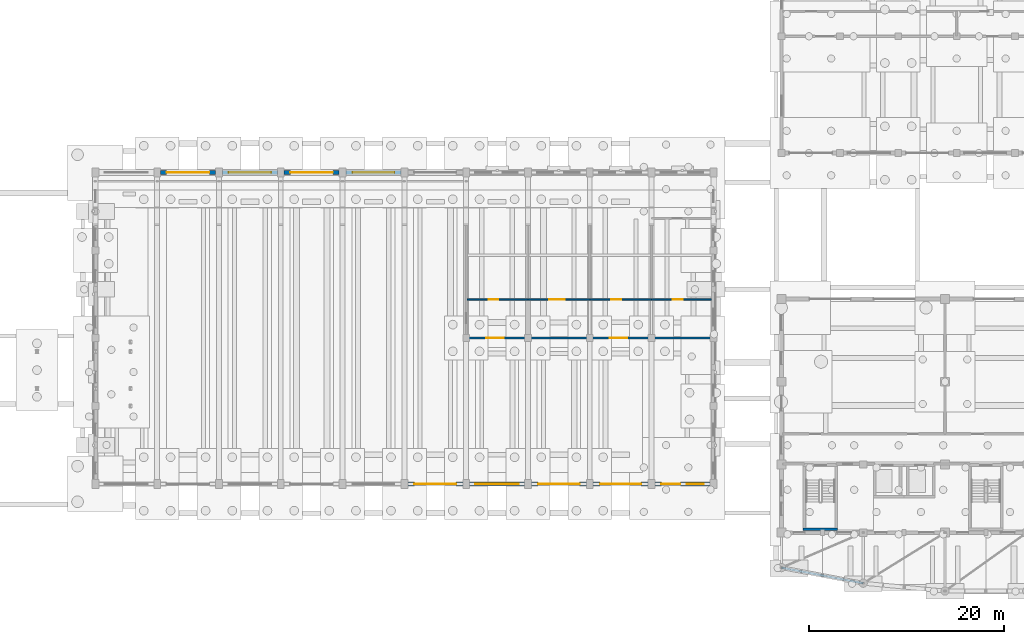
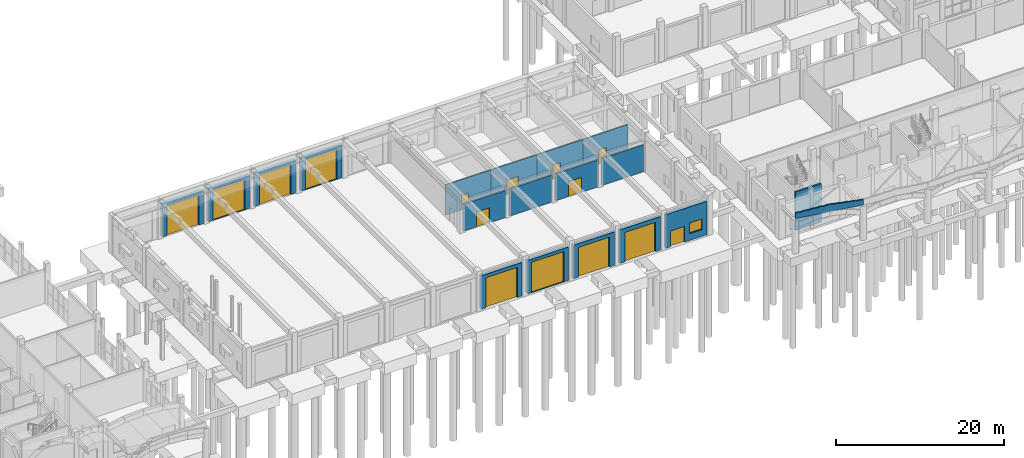
# One storey, part 37 of 60: 19 walls, 15 doors, 1 window, 16 openings.
"""IFC4 building model written with IfcOpenShell, lengths in metres."""

from ifc_helpers import new_model, si_unit, direction, frame, frame_2d, origin, place, context, subcontext, project, spatial, polyline, rectangle, outline, extrude, material, layer, layer_set, type_object, element, fill, save


model = new_model("IFC4")

# Units and contexts
model_context = context("Model", 3, precision=1e-05, world=origin(), true_north=direction((0.0, 1.0)))
body_context = subcontext(model_context, "Body", "Model", "MODEL_VIEW")
ifc_project = project(units=[si_unit("LENGTHUNIT", "METRE"), si_unit("AREAUNIT", "SQUARE_METRE"), si_unit("VOLUMEUNIT", "CUBIC_METRE"), si_unit("PLANEANGLEUNIT", "RADIAN"), si_unit("MASSUNIT", "GRAM", prefix="KILO")], contexts=[model_context])

# Site, building, storey
site_placement = place(None, origin())
site = spatial("IfcSite", under=ifc_project, at=site_placement, CompositionType="ELEMENT")
building_placement = place(site_placement, origin())
building = spatial("IfcBuilding", under=site, at=building_placement, Name="Trellovar Central Fire Station", CompositionType="ELEMENT")
storey_placement = place(building_placement, origin())
storey = spatial("IfcBuildingStorey", under=building, at=storey_placement, Name="L01", CompositionType="ELEMENT", Elevation=0.0)

# Wall, opening, door
ifc_material_1 = material(Name="Catalan polychrome brickwork with insulated cavity", Category="masonry")
ifc_layer_1 = layer(ifc_material_1, 0.419921875)
ifc_layer_set_1 = layer_set([ifc_layer_1], Name="Catalan polychrome brickwork with insulated cavity")
wall_type_1 = type_object("IfcWallType", Name="EW-1", PredefinedType="STANDARD", material=ifc_layer_set_1)
wall_1_placement = place(storey_placement, frame((47.35009765625, 46.0, 0.0), z_axis=(0.0, 0.0, 1.0), x_axis=(-1.0, 0.0, 0.0)))
wall_1 = element("IfcWall", 1, at=wall_1_placement, inside=storey, type_object=wall_type_1, Name="V1 north facade bay 2", PredefinedType="STANDARD", context=body_context, shape_type="SweptSolid", body=[
    extrude(rectangle(XDim=5.650146484375, YDim=0.419921875, at=frame_2d((2.8251953125, 0.0))), origin(), (0.0, 0.0, 1.0), 4.840087890625),
])
opening_1_placement = place(wall_1_placement, frame((0.625, 0.0, 0.0)))
opening_1 = element("IfcOpeningElement", 2, at=opening_1_placement, cuts=wall_1, Name="Opening BD-2", PredefinedType="OPENING", context=body_context, shape_type="SweptSolid", body=[
    extrude(rectangle(XDim=4.39990234375, YDim=4.39990234375, at=frame_2d((2.199951171875, 2.199951171875))), frame((0.0, 0.219970703125, 0.0), z_axis=(0.0, -1.0, 0.0), x_axis=(1.0, 0.0, 0.0)), (0.0, 0.0, 1.0), 0.43994140625),
])
ifc_material_2 = material(Name="Glazed terracotta-orange insulated steel roller shutter", Category="masonry")
door_type_1 = type_object("IfcDoorType", Name="DR-BAY2", OperationType="ROLLINGUP", PredefinedType="DOOR", material=ifc_material_2)
door_1_placement = place(opening_1_placement, origin())
door_1 = element("IfcDoor", 3, at=door_1_placement, inside=storey, type_object=door_type_1, Name="North yard drive-through bay 2 door", OperationType="ROLLINGUP", OverallHeight=4.39990234375, OverallWidth=4.39990234375, PredefinedType="DOOR", context=body_context, shape_type="SweptSolid", body=[
    extrude(rectangle(XDim=4.39990234375, YDim=4.39990234375, at=frame_2d((2.199951171875, 2.199951171875))), frame((0.0, 0.02490234375, 0.0), z_axis=(0.0, -1.0, 0.0), x_axis=(1.0, 0.0, 0.0)), (0.0, 0.0, 1.0), 0.050048828125),
])
fill(opening_1, door_1)

wall_2_placement = place(storey_placement, frame((53.699951171875, 46.0, 0.0), z_axis=(0.0, 0.0, 1.0), x_axis=(-1.0, 0.0, 0.0)))
wall_2 = element("IfcWall", 4, at=wall_2_placement, inside=storey, type_object=wall_type_1, Name="V1 north facade bay 3", PredefinedType="STANDARD", context=body_context, shape_type="SweptSolid", body=[
    extrude(rectangle(XDim=5.64990234375, YDim=0.419921875, at=frame_2d((2.824951171875, 0.0))), origin(), (0.0, 0.0, 1.0), 4.840087890625),
])
opening_2_placement = place(wall_2_placement, frame((0.64990234375, 0.0, 0.0)))
opening_2 = element("IfcOpeningElement", 5, at=opening_2_placement, cuts=wall_2, Name="Opening BD-3", PredefinedType="OPENING", context=body_context, shape_type="SweptSolid", body=[
    extrude(rectangle(XDim=4.35009765625, YDim=4.449951171875, at=frame_2d((2.175048828125, 2.22509765625))), frame((0.0, 0.219970703125, 0.0), z_axis=(0.0, -1.0, 0.0), x_axis=(1.0, 0.0, 0.0)), (0.0, 0.0, 1.0), 0.43994140625),
])
ifc_material_3 = material(Name="Glazed terracotta-orange insulated steel roller shutter", Category="masonry")
door_type_2 = type_object("IfcDoorType", Name="DR-BAY3", OperationType="ROLLINGUP", PredefinedType="DOOR", material=ifc_material_3)
door_2_placement = place(opening_2_placement, origin())
door_2 = element("IfcDoor", 6, at=door_2_placement, inside=storey, type_object=door_type_2, Name="North yard drive-through bay 3 door", OperationType="ROLLINGUP", OverallHeight=4.449951171875, OverallWidth=4.35009765625, PredefinedType="DOOR", context=body_context, shape_type="SweptSolid", body=[
    extrude(rectangle(XDim=4.35009765625, YDim=4.449951171875, at=frame_2d((2.175048828125, 2.22509765625))), frame((0.0, 0.02490234375, 0.0), z_axis=(0.0, -1.0, 0.0), x_axis=(1.0, 0.0, 0.0)), (0.0, 0.0, 1.0), 0.050048828125),
])
fill(opening_2, door_2)

wall_3_placement = place(storey_placement, frame((60.050048828125, 46.0, 0.0), z_axis=(0.0, 0.0, 1.0), x_axis=(-1.0, 0.0, 0.0)))
wall_3 = element("IfcWall", 7, at=wall_3_placement, inside=storey, type_object=wall_type_1, Name="V1 north facade bay 4", PredefinedType="STANDARD", context=body_context, shape_type="SweptSolid", body=[
    extrude(rectangle(XDim=5.650146484375, YDim=0.419921875, at=frame_2d((2.8251953125, 0.0))), origin(), (0.0, 0.0, 1.0), 4.840087890625),
])
opening_3_placement = place(wall_3_placement, frame((0.64990234375, 0.0, 0.0)))
opening_3 = element("IfcOpeningElement", 8, at=opening_3_placement, cuts=wall_3, Name="Opening BD-4", PredefinedType="OPENING", context=body_context, shape_type="SweptSolid", body=[
    extrude(rectangle(XDim=4.35009765625, YDim=4.39990234375, at=frame_2d((2.175048828125, 2.199951171875))), frame((0.0, 0.219970703125, 0.0), z_axis=(0.0, -1.0, 0.0), x_axis=(1.0, 0.0, 0.0)), (0.0, 0.0, 1.0), 0.43994140625),
])
ifc_material_4 = material(Name="Glazed terracotta-orange insulated steel roller shutter", Category="masonry")
door_type_3 = type_object("IfcDoorType", Name="DR-BAY4", OperationType="ROLLINGUP", PredefinedType="DOOR", material=ifc_material_4)
door_3_placement = place(opening_3_placement, origin())
door_3 = element("IfcDoor", 9, at=door_3_placement, inside=storey, type_object=door_type_3, Name="North yard drive-through bay 4 door", OperationType="ROLLINGUP", OverallHeight=4.39990234375, OverallWidth=4.35009765625, PredefinedType="DOOR", context=body_context, shape_type="SweptSolid", body=[
    extrude(rectangle(XDim=4.35009765625, YDim=4.39990234375, at=frame_2d((2.175048828125, 2.199951171875))), frame((0.0, 0.02490234375, 0.0), z_axis=(0.0, -1.0, 0.0), x_axis=(1.0, 0.0, 0.0)), (0.0, 0.0, 1.0), 0.050048828125),
])
fill(opening_3, door_3)

wall_4_placement = place(storey_placement, frame((66.39990234375, 46.0, 0.0), z_axis=(0.0, 0.0, 1.0), x_axis=(-1.0, 0.0, 0.0)))
wall_4 = element("IfcWall", 10, at=wall_4_placement, inside=storey, type_object=wall_type_1, Name="V1 north facade bay 5", PredefinedType="STANDARD", context=body_context, shape_type="SweptSolid", body=[
    extrude(rectangle(XDim=5.64990234375, YDim=0.419921875, at=frame_2d((2.824951171875, 0.0))), origin(), (0.0, 0.0, 1.0), 4.840087890625),
])
opening_4_placement = place(wall_4_placement, frame((0.675048828125, 0.0, 0.0)))
opening_4 = element("IfcOpeningElement", 11, at=opening_4_placement, cuts=wall_4, Name="Opening BD-5", PredefinedType="OPENING", context=body_context, shape_type="SweptSolid", body=[
    extrude(rectangle(XDim=4.300048828125, YDim=4.449951171875, at=frame_2d((2.14990234375, 2.22509765625))), frame((0.0, 0.219970703125, 0.0), z_axis=(0.0, -1.0, 0.0), x_axis=(1.0, 0.0, 0.0)), (0.0, 0.0, 1.0), 0.43994140625),
])
ifc_material_5 = material(Name="Glazed terracotta-orange insulated steel roller shutter", Category="masonry")
door_type_4 = type_object("IfcDoorType", Name="DR-BAY5", OperationType="ROLLINGUP", PredefinedType="DOOR", material=ifc_material_5)
door_4_placement = place(opening_4_placement, origin())
door_4 = element("IfcDoor", 12, at=door_4_placement, inside=storey, type_object=door_type_4, Name="North yard drive-through bay 5 door", OperationType="ROLLINGUP", OverallHeight=4.449951171875, OverallWidth=4.300048828125, PredefinedType="DOOR", context=body_context, shape_type="SweptSolid", body=[
    extrude(rectangle(XDim=4.300048828125, YDim=4.449951171875, at=frame_2d((2.14990234375, 2.22509765625))), frame((0.0, 0.02490234375, 0.0), z_axis=(0.0, -1.0, 0.0), x_axis=(1.0, 0.0, 0.0)), (0.0, 0.0, 1.0), 0.050048828125),
])
fill(opening_4, door_4)

wall_5_placement = place(storey_placement, frame((67.10009765625, 14.0, 0.0), z_axis=(0.0, 0.0, 1.0), x_axis=(1.0, 0.0, 0.0)))
wall_5 = element("IfcWall", 13, at=wall_5_placement, inside=storey, type_object=wall_type_1, Name="V1 south engine portal masonry bay 6", PredefinedType="STANDARD", context=body_context, shape_type="SweptSolid", body=[
    extrude(rectangle(XDim=5.64990234375, YDim=0.419921875, at=frame_2d((2.824951171875, 0.0))), origin(), (0.0, 0.0, 1.0), 4.8798828125),
])
opening_5_placement = place(wall_5_placement, frame((0.675048828125, 0.0, 0.0)))
opening_5 = element("IfcOpeningElement", 14, at=opening_5_placement, cuts=wall_5, Name="Opening BD-6", PredefinedType="OPENING", context=body_context, shape_type="SweptSolid", body=[
    extrude(rectangle(XDim=4.300048828125, YDim=4.39990234375, at=frame_2d((2.14990234375, 2.199951171875))), frame((0.0, 0.219970703125, 0.0), z_axis=(0.0, -1.0, 0.0), x_axis=(1.0, 0.0, 0.0)), (0.0, 0.0, 1.0), 0.43994140625),
])
ifc_material_6 = material(Name="Glazed terracotta-orange insulated steel roller shutter", Category="masonry")
door_type_5 = type_object("IfcDoorType", Name="DR-BAY6", OperationType="ROLLINGUP", PredefinedType="DOOR", material=ifc_material_6)
door_5_placement = place(opening_5_placement, origin())
door_5 = element("IfcDoor", 15, at=door_5_placement, inside=storey, type_object=door_type_5, Name="South boulevard apparatus bay 6 door", OperationType="ROLLINGUP", OverallHeight=4.39990234375, OverallWidth=4.300048828125, PredefinedType="DOOR", context=body_context, shape_type="SweptSolid", body=[
    extrude(rectangle(XDim=4.300048828125, YDim=4.39990234375, at=frame_2d((2.14990234375, 2.199951171875))), frame((0.0, 0.02490234375, 0.0), z_axis=(0.0, -1.0, 0.0), x_axis=(1.0, 0.0, 0.0)), (0.0, 0.0, 1.0), 0.050048828125),
])
fill(opening_5, door_5)

wall_6_placement = place(storey_placement, frame((73.449951171875, 14.0, 0.0), z_axis=(0.0, 0.0, 1.0), x_axis=(1.0, 0.0, 0.0)))
wall_6 = element("IfcWall", 16, at=wall_6_placement, inside=storey, type_object=wall_type_1, Name="V1 south engine portal masonry bay 7", PredefinedType="STANDARD", context=body_context, shape_type="SweptSolid", body=[
    extrude(rectangle(XDim=5.650146484375, YDim=0.419921875, at=frame_2d((2.8251953125, 0.0))), origin(), (0.0, 0.0, 1.0), 4.8798828125),
])
opening_6_placement = place(wall_6_placement, frame((0.60009765625, 0.0, 0.0)))
opening_6 = element("IfcOpeningElement", 17, at=opening_6_placement, cuts=wall_6, Name="Opening BD-7", PredefinedType="OPENING", context=body_context, shape_type="SweptSolid", body=[
    extrude(rectangle(XDim=4.449951171875, YDim=4.449951171875, at=frame_2d((2.22509765625, 2.22509765625))), frame((0.0, 0.219970703125, 0.0), z_axis=(0.0, -1.0, 0.0), x_axis=(1.0, 0.0, 0.0)), (0.0, 0.0, 1.0), 0.43994140625),
])
ifc_material_7 = material(Name="Glazed terracotta-orange insulated steel roller shutter", Category="masonry")
door_type_6 = type_object("IfcDoorType", Name="DR-BAY7", OperationType="ROLLINGUP", PredefinedType="DOOR", material=ifc_material_7)
door_6_placement = place(opening_6_placement, origin())
door_6 = element("IfcDoor", 18, at=door_6_placement, inside=storey, type_object=door_type_6, Name="South boulevard apparatus bay 7 door", OperationType="ROLLINGUP", OverallHeight=4.449951171875, OverallWidth=4.449951171875, PredefinedType="DOOR", context=body_context, shape_type="SweptSolid", body=[
    extrude(rectangle(XDim=4.449951171875, YDim=4.449951171875, at=frame_2d((2.22509765625, 2.22509765625))), frame((0.0, 0.02490234375, 0.0), z_axis=(0.0, -1.0, 0.0), x_axis=(1.0, 0.0, 0.0)), (0.0, 0.0, 1.0), 0.050048828125),
])
fill(opening_6, door_6)

wall_7_placement = place(storey_placement, frame((79.800048828125, 14.0, 0.0), z_axis=(0.0, 0.0, 1.0), x_axis=(1.0, 0.0, 0.0)))
wall_7 = element("IfcWall", 19, at=wall_7_placement, inside=storey, type_object=wall_type_1, Name="V1 south engine portal masonry bay 8", PredefinedType="STANDARD", context=body_context, shape_type="SweptSolid", body=[
    extrude(rectangle(XDim=5.64990234375, YDim=0.419921875, at=frame_2d((2.824951171875, 0.0))), origin(), (0.0, 0.0, 1.0), 4.8798828125),
])
opening_7_placement = place(wall_7_placement, frame((0.699951171875, 0.0, 0.0)))
opening_7 = element("IfcOpeningElement", 20, at=opening_7_placement, cuts=wall_7, Name="Opening BD-8", PredefinedType="OPENING", context=body_context, shape_type="SweptSolid", body=[
    extrude(rectangle(XDim=4.25, YDim=4.35009765625, at=frame_2d((2.125, 2.175048828125))), frame((0.0, 0.219970703125, 0.0), z_axis=(0.0, -1.0, 0.0), x_axis=(1.0, 0.0, 0.0)), (0.0, 0.0, 1.0), 0.43994140625),
])
ifc_material_8 = material(Name="Glazed terracotta-orange insulated steel roller shutter", Category="masonry")
door_type_7 = type_object("IfcDoorType", Name="DR-BAY8", OperationType="ROLLINGUP", PredefinedType="DOOR", material=ifc_material_8)
door_7_placement = place(opening_7_placement, origin())
door_7 = element("IfcDoor", 21, at=door_7_placement, inside=storey, type_object=door_type_7, Name="South boulevard apparatus bay 8 door", OperationType="ROLLINGUP", OverallHeight=4.35009765625, OverallWidth=4.25, PredefinedType="DOOR", context=body_context, shape_type="SweptSolid", body=[
    extrude(rectangle(XDim=4.25, YDim=4.35009765625, at=frame_2d((2.125, 2.175048828125))), frame((0.0, 0.02490234375, 0.0), z_axis=(0.0, -1.0, 0.0), x_axis=(1.0, 0.0, 0.0)), (0.0, 0.0, 1.0), 0.050048828125),
])
fill(opening_7, door_7)

wall_8_placement = place(storey_placement, frame((86.14990234375, 14.0, 0.0), z_axis=(0.0, 0.0, 1.0), x_axis=(1.0, 0.0, 0.0)))
wall_8 = element("IfcWall", 22, at=wall_8_placement, inside=storey, type_object=wall_type_1, Name="V1 south engine portal masonry bay 9", PredefinedType="STANDARD", context=body_context, shape_type="SweptSolid", body=[
    extrude(rectangle(XDim=5.650146484375, YDim=0.419921875, at=frame_2d((2.8251953125, 0.0))), origin(), (0.0, 0.0, 1.0), 4.8798828125),
])
opening_8_placement = place(wall_8_placement, frame((0.72509765625, 0.0, 0.0)))
opening_8 = element("IfcOpeningElement", 23, at=opening_8_placement, cuts=wall_8, Name="Opening BD-9", PredefinedType="OPENING", context=body_context, shape_type="SweptSolid", body=[
    extrude(rectangle(XDim=4.199951171875, YDim=4.300048828125, at=frame_2d((2.10009765625, 2.14990234375))), frame((0.0, 0.219970703125, 0.0), z_axis=(0.0, -1.0, 0.0), x_axis=(1.0, 0.0, 0.0)), (0.0, 0.0, 1.0), 0.43994140625),
])
ifc_material_9 = material(Name="Glazed terracotta-orange insulated steel roller shutter", Category="masonry")
door_type_8 = type_object("IfcDoorType", Name="DR-BAY9", OperationType="ROLLINGUP", PredefinedType="DOOR", material=ifc_material_9)
door_8_placement = place(opening_8_placement, origin())
door_8 = element("IfcDoor", 24, at=door_8_placement, inside=storey, type_object=door_type_8, Name="South boulevard apparatus bay 9 door", OperationType="ROLLINGUP", OverallHeight=4.300048828125, OverallWidth=4.199951171875, PredefinedType="DOOR", context=body_context, shape_type="SweptSolid", body=[
    extrude(rectangle(XDim=4.199951171875, YDim=4.300048828125, at=frame_2d((2.10009765625, 2.14990234375))), frame((0.0, 0.02490234375, 0.0), z_axis=(0.0, -1.0, 0.0), x_axis=(1.0, 0.0, 0.0)), (0.0, 0.0, 1.0), 0.050048828125),
])
fill(opening_8, door_8)

# Wall, openings, door, window
wall_9_placement = place(storey_placement, frame((92.5, 14.0, 0.0), z_axis=(0.0, 0.0, 1.0), x_axis=(1.0, 0.0, 0.0)))
wall_9 = element("IfcWall", 25, at=wall_9_placement, inside=storey, type_object=wall_type_1, Name="V1 south engine portal masonry bay 10", PredefinedType="STANDARD", context=body_context, shape_type="SweptSolid", body=[
    extrude(rectangle(XDim=5.64990234375, YDim=0.419921875, at=frame_2d((2.824951171875, 0.0))), origin(), (0.0, 0.0, 1.0), 4.8798828125),
])
opening_9_placement = place(wall_9_placement, frame((0.64990234375, 0.0, 0.0)))
opening_9 = element("IfcOpeningElement", 26, at=opening_9_placement, cuts=wall_9, Name="Opening EX-1", PredefinedType="OPENING", context=body_context, shape_type="SweptSolid", body=[
    extrude(rectangle(XDim=1.949951171875, YDim=2.300048828125, at=frame_2d((0.97509765625, 1.14990234375))), frame((0.0, 0.219970703125, 0.0), z_axis=(0.0, -1.0, 0.0), x_axis=(1.0, 0.0, 0.0)), (0.0, 0.0, 1.0), 0.43994140625),
])
opening_10_placement = place(wall_9_placement, frame((3.25, 0.0, 1.0)))
opening_10 = element("IfcOpeningElement", 27, at=opening_10_placement, cuts=wall_9, Name="Opening W-03", PredefinedType="OPENING", context=body_context, shape_type="SweptSolid", body=[
    extrude(rectangle(XDim=1.75, YDim=1.550048828125, at=frame_2d((0.875, 0.77490234375))), frame((0.0, 0.219970703125, 0.0), z_axis=(0.0, -1.0, 0.0), x_axis=(1.0, 0.0, 0.0)), (0.0, 0.0, 1.0), 0.43994140625),
])
ifc_material_10 = material(Name="Thermally broken bronze anodized aluminum", Category="aluminium")
door_type_9 = type_object("IfcDoorType", Name="DR-EXT1", OperationType="DOUBLE_DOOR_SINGLE_SWING", PredefinedType="DOOR", material=ifc_material_10)
door_9_placement = place(opening_9_placement, frame((1.949951171875, 0.0, 0.0), z_axis=(0.0, 0.0, 1.0), x_axis=(-1.0, 0.0, 0.0)))
door_9 = element("IfcDoor", 28, at=door_9_placement, inside=storey, type_object=door_type_9, Name="Appliance hall south boulevard entrance", OperationType="DOUBLE_DOOR_SINGLE_SWING", OverallHeight=2.300048828125, OverallWidth=1.949951171875, PredefinedType="DOOR", context=body_context, shape_type="SweptSolid", body=[
    extrude(rectangle(XDim=1.949951171875, YDim=2.300048828125, at=frame_2d((0.97509765625, 1.14990234375))), frame((0.0, 0.02490234375, 0.0), z_axis=(0.0, -1.0, 0.0), x_axis=(1.0, 0.0, 0.0)), (0.0, 0.0, 1.0), 0.050048828125),
])
fill(opening_9, door_9)
ifc_material_11 = material(Name="Thermally broken bronze anodized aluminum", Category="aluminium")
window_type = type_object("IfcWindowType", Name="WIN-03", PartitioningType="DOUBLE_PANEL_VERTICAL", PredefinedType="WINDOW", material=ifc_material_11)
window_placement = place(opening_10_placement, origin())
window = element("IfcWindow", 29, at=window_placement, inside=storey, type_object=window_type, Name="Appliance hall south watch window", OverallHeight=1.550048828125, OverallWidth=1.75, PartitioningType="DOUBLE_PANEL_VERTICAL", PredefinedType="WINDOW", context=body_context, shape_type="SweptSolid", body=[
    extrude(rectangle(XDim=1.75, YDim=1.550048828125, at=frame_2d((0.875, 0.77490234375))), frame((0.0, 0.030029296875, 0.0), z_axis=(0.0, -1.0, 0.0), x_axis=(1.0, 0.0, 0.0)), (0.0, 0.0, 1.0), 0.06005859375),
])
fill(opening_10, window)

# Wall
ifc_material_12 = material(Name="Textured desert sandstone masonry", Category="masonry")
ifc_layer_2 = layer(ifc_material_12, 0.2099609375)
ifc_layer_set_2 = layer_set([ifc_layer_2], Name="Textured desert sandstone masonry")
wall_type_2 = type_object("IfcWallType", Name="PAR-3", PredefinedType="PARAPET", material=ifc_layer_set_2)
wall_10_placement = place(storey_placement, frame((105.5, 5.39990234375, 4.949951171875), z_axis=(0.0, 0.0, 1.0), x_axis=(0.982341315253, -0.187097675953, 0.0)))
element("IfcWall", 30, at=wall_10_placement, inside=storey, type_object=wall_type_2, Name="L01 Catalan stepped parapet", PredefinedType="PARAPET", context=body_context, shape_type="SweptSolid", body=[
    extrude(outline(polyline([(0.0, 0.0), (8.55078125, 0.0), (8.551025390625, 0.800048828125), (7.601806640625, 0.800048828125), (7.600830078125, 0.862548828125), (6.65185546875, 0.862548828125), (6.65087890625, 0.925048828125), (5.70166015625, 0.925048828125), (5.70068359375, 0.987548828125), (4.751708984375, 0.987548828125), (4.75048828125, 1.050048828125), (3.801513671875, 1.050048828125), (3.800537109375, 0.987548828125), (2.851318359375, 0.987548828125), (2.850341796875, 0.925048828125), (1.901123046875, 0.925048828125), (1.900146484375, 0.862548828125), (0.951171875, 0.862548828125), (0.9501953125, 0.800048828125), (0.0, 0.800048828125), (0.0, 0.0)])), frame((0.0, 0.10498046875, 0.0), z_axis=(0.0, -1.0, 0.0), x_axis=(1.0, 0.0, 0.0)), (0.0, 0.0, 1.0), 0.2099609375),
])

# Wall, opening, door
ifc_material_13 = material(Name="Acoustic concrete masonry unit", Category="masonry")
ifc_layer_3 = layer(ifc_material_13, 0.199951171875)
ifc_layer_set_3 = layer_set([ifc_layer_3], Name="Acoustic concrete masonry unit")
wall_type_3 = type_object("IfcWallType", Name="PT-1", PredefinedType="PARTITIONING", material=ifc_layer_set_3)
wall_11_placement = place(storey_placement, frame((73.35009765625, 29.0, 0.0), z_axis=(0.0, 0.0, 1.0), x_axis=(1.0, 0.0, 0.0)))
wall_11 = element("IfcWall", 31, at=wall_11_placement, inside=storey, type_object=wall_type_3, Name="V1 north tail spine wall 1", PredefinedType="PARTITIONING", context=body_context, shape_type="SweptSolid", body=[
    extrude(rectangle(XDim=5.849853515625, YDim=0.199951171875, at=frame_2d((2.9248046875, 0.0))), origin(), (0.0, 0.0, 1.0), 3.927978515625),
])
opening_11_placement = place(wall_11_placement, frame((1.800048828125, 0.0, 0.0)))
opening_11 = element("IfcOpeningElement", 32, at=opening_11_placement, cuts=wall_11, Name="Opening ID-3", PredefinedType="OPENING", context=body_context, shape_type="SweptSolid", body=[
    extrude(rectangle(XDim=1.800048828125, YDim=2.179931640625, at=frame_2d((0.89990234375, 1.08984375))), frame((0.0, 0.10986328125, 0.0), z_axis=(0.0, -1.0, 0.0), x_axis=(1.0, 0.0, 0.0)), (0.0, 0.0, 1.0), 0.219970703125),
])
ifc_material_14 = material(Name="Hollow galvanized steel with acoustic core", Category="steel")
door_type_10 = type_object("IfcDoorType", Name="DR-INT3", OperationType="DOUBLE_DOOR_SINGLE_SWING", PredefinedType="DOOR", material=ifc_material_14)
door_10_placement = place(opening_11_placement, origin())
door_10 = element("IfcDoor", 33, at=door_10_placement, inside=storey, type_object=door_type_10, Name="Appliance hall to north tail corridor double door 1", OperationType="DOUBLE_DOOR_SINGLE_SWING", OverallHeight=2.179931640625, OverallWidth=1.800048828125, PredefinedType="DOOR", context=body_context, shape_type="SweptSolid", body=[
    extrude(rectangle(XDim=1.800048828125, YDim=2.179931640625, at=frame_2d((0.89990234375, 1.08984375))), frame((0.0, 0.02490234375, 0.0), z_axis=(0.0, -1.0, 0.0), x_axis=(1.0, 0.0, 0.0)), (0.0, 0.0, 1.0), 0.050048828125),
])
fill(opening_11, door_10)

# Wall
wall_12_placement = place(storey_placement, frame((79.699951171875, 29.0, 0.0), z_axis=(0.0, 0.0, 1.0), x_axis=(1.0, 0.0, 0.0)))
element("IfcWall", 34, at=wall_12_placement, inside=storey, type_object=wall_type_3, Name="V1 north tail spine wall 2", PredefinedType="PARTITIONING", context=body_context, shape_type="SweptSolid", body=[
    extrude(rectangle(XDim=5.85009765625, YDim=0.199951171875, at=frame_2d((2.925048828125, 0.0))), origin(), (0.0, 0.0, 1.0), 3.927978515625),
])

# Wall, opening, door
wall_13_placement = place(storey_placement, frame((86.050048828125, 29.0, 0.0), z_axis=(0.0, 0.0, 1.0), x_axis=(1.0, 0.0, 0.0)))
wall_13 = element("IfcWall", 35, at=wall_13_placement, inside=storey, type_object=wall_type_3, Name="V1 north tail spine wall 3", PredefinedType="PARTITIONING", context=body_context, shape_type="SweptSolid", body=[
    extrude(rectangle(XDim=5.849853515625, YDim=0.199951171875, at=frame_2d((2.9248046875, 0.0))), origin(), (0.0, 0.0, 1.0), 3.927978515625),
])
opening_12_placement = place(wall_13_placement, frame((1.800048828125, 0.0, 0.0)))
opening_12 = element("IfcOpeningElement", 36, at=opening_12_placement, cuts=wall_13, Name="Opening ID-3", PredefinedType="OPENING", context=body_context, shape_type="SweptSolid", body=[
    extrude(rectangle(XDim=1.800048828125, YDim=2.179931640625, at=frame_2d((0.89990234375, 1.08984375))), frame((0.0, 0.10986328125, 0.0), z_axis=(0.0, -1.0, 0.0), x_axis=(1.0, 0.0, 0.0)), (0.0, 0.0, 1.0), 0.219970703125),
])
door_11_placement = place(opening_12_placement, origin())
door_11 = element("IfcDoor", 37, at=door_11_placement, inside=storey, type_object=door_type_10, Name="Appliance hall to north tail corridor double door 3", OperationType="DOUBLE_DOOR_SINGLE_SWING", OverallHeight=2.179931640625, OverallWidth=1.800048828125, PredefinedType="DOOR", context=body_context, shape_type="SweptSolid", body=[
    extrude(rectangle(XDim=1.800048828125, YDim=2.179931640625, at=frame_2d((0.89990234375, 1.08984375))), frame((0.0, 0.02490234375, 0.0), z_axis=(0.0, -1.0, 0.0), x_axis=(1.0, 0.0, 0.0)), (0.0, 0.0, 1.0), 0.050048828125),
])
fill(opening_12, door_11)

# Wall
wall_14_placement = place(storey_placement, frame((92.39990234375, 29.0, 0.0), z_axis=(0.0, 0.0, 1.0), x_axis=(1.0, 0.0, 0.0)))
element("IfcWall", 38, at=wall_14_placement, inside=storey, type_object=wall_type_3, Name="V1 north tail spine wall 4", PredefinedType="PARTITIONING", context=body_context, shape_type="SweptSolid", body=[
    extrude(rectangle(XDim=5.85009765625, YDim=0.199951171875, at=frame_2d((2.925048828125, 0.0))), origin(), (0.0, 0.0, 1.0), 3.927978515625),
])

# Wall, opening, door
ifc_material_15 = material(Name="Acoustic concrete masonry unit", Category="masonry")
ifc_layer_4 = layer(ifc_material_15, 0.159912109375)
ifc_layer_set_4 = layer_set([ifc_layer_4], Name="Acoustic concrete masonry unit")
wall_type_4 = type_object("IfcWallType", Name="PT-2", PredefinedType="PARTITIONING", material=ifc_layer_set_4)
wall_15_placement = place(storey_placement, frame((73.199951171875, 32.949951171875, 0.0), z_axis=(0.0, 0.0, 1.0), x_axis=(1.0, 0.0, 0.0)))
wall_15 = element("IfcWall", 39, at=wall_15_placement, inside=storey, type_object=wall_type_4, Name="V1 north tail corridor wall 1", PredefinedType="PARTITIONING", context=body_context, shape_type="SweptSolid", body=[
    extrude(rectangle(XDim=6.25, YDim=0.159912109375, at=frame_2d((3.125, 0.0))), origin(), (0.0, 0.0, 1.0), 4.39990234375),
])
opening_13_placement = place(wall_15_placement, frame((2.199951171875, 0.0, 0.0)))
opening_13 = element("IfcOpeningElement", 40, at=opening_13_placement, cuts=wall_15, Name="Opening ID-7", PredefinedType="OPENING", context=body_context, shape_type="SweptSolid", body=[
    extrude(rectangle(XDim=0.97998046875, YDim=2.1201171875, at=frame_2d((0.489990234375, 1.06005859375))), frame((0.0, 0.08984375, 0.0), z_axis=(0.0, -1.0, 0.0), x_axis=(1.0, 0.0, 0.0)), (0.0, 0.0, 1.0), 0.179931640625),
])
ifc_material_16 = material(Name="Solid core acoustic white oak veneer", Category="wood")
door_type_11 = type_object("IfcDoorType", Name="DR-INT7", OperationType="SINGLE_SWING_LEFT", PredefinedType="DOOR", material=ifc_material_16)
door_12_placement = place(opening_13_placement, origin())
door_12 = element("IfcDoor", 41, at=door_12_placement, inside=storey, type_object=door_type_11, Name="Station watch room door", OperationType="SINGLE_SWING_RIGHT", OverallHeight=2.1201171875, OverallWidth=0.97998046875, PredefinedType="DOOR", context=body_context, shape_type="SweptSolid", body=[
    extrude(rectangle(XDim=0.97998046875, YDim=2.1201171875, at=frame_2d((0.489990234375, 1.06005859375))), frame((0.0, 0.02490234375, 0.0), z_axis=(0.0, -1.0, 0.0), x_axis=(1.0, 0.0, 0.0)), (0.0, 0.0, 1.0), 0.050048828125),
])
fill(opening_13, door_12)

wall_16_placement = place(storey_placement, frame((79.449951171875, 32.949951171875, 0.0), z_axis=(0.0, 0.0, 1.0), x_axis=(1.0, 0.0, 0.0)))
wall_16 = element("IfcWall", 42, at=wall_16_placement, inside=storey, type_object=wall_type_4, Name="V1 north tail corridor wall 2", PredefinedType="PARTITIONING", context=body_context, shape_type="SweptSolid", body=[
    extrude(rectangle(XDim=6.35009765625, YDim=0.159912109375, at=frame_2d((3.175048828125, 0.0))), origin(), (0.0, 0.0, 1.0), 4.39990234375),
])
opening_14_placement = place(wall_16_placement, frame((2.199951171875, 0.0, 0.0)))
opening_14 = element("IfcOpeningElement", 43, at=opening_14_placement, cuts=wall_16, Name="Opening ID-4", PredefinedType="OPENING", context=body_context, shape_type="SweptSolid", body=[
    extrude(rectangle(XDim=1.60009765625, YDim=2.139892578125, at=frame_2d((0.800048828125, 1.06982421875))), frame((0.0, 0.08984375, 0.0), z_axis=(0.0, -1.0, 0.0), x_axis=(1.0, 0.0, 0.0)), (0.0, 0.0, 1.0), 0.179931640625),
])
ifc_material_17 = material(Name="Solid core acoustic white oak veneer", Category="wood")
door_type_12 = type_object("IfcDoorType", Name="DR-INT4", OperationType="DOUBLE_DOOR_SINGLE_SWING", PredefinedType="DOOR", material=ifc_material_17)
door_13_placement = place(opening_14_placement, origin())
door_13 = element("IfcDoor", 44, at=door_13_placement, inside=storey, type_object=door_type_12, Name="Ready kitchen mess door", OperationType="DOUBLE_DOOR_SINGLE_SWING", OverallHeight=2.139892578125, OverallWidth=1.60009765625, PredefinedType="DOOR", context=body_context, shape_type="SweptSolid", body=[
    extrude(rectangle(XDim=1.60009765625, YDim=2.139892578125, at=frame_2d((0.800048828125, 1.06982421875))), frame((0.0, 0.02490234375, 0.0), z_axis=(0.0, -1.0, 0.0), x_axis=(1.0, 0.0, 0.0)), (0.0, 0.0, 1.0), 0.050048828125),
])
fill(opening_14, door_13)

wall_17_placement = place(storey_placement, frame((85.800048828125, 32.949951171875, 0.0), z_axis=(0.0, 0.0, 1.0), x_axis=(1.0, 0.0, 0.0)))
wall_17 = element("IfcWall", 45, at=wall_17_placement, inside=storey, type_object=wall_type_4, Name="V1 north tail corridor wall 3", PredefinedType="PARTITIONING", context=body_context, shape_type="SweptSolid", body=[
    extrude(rectangle(XDim=6.349853515625, YDim=0.159912109375, at=frame_2d((3.1748046875, 0.0))), origin(), (0.0, 0.0, 1.0), 4.39990234375),
])
opening_15_placement = place(wall_17_placement, frame((2.199951171875, 0.0, 0.0)))
opening_15 = element("IfcOpeningElement", 46, at=opening_15_placement, cuts=wall_17, Name="Opening ID-8", PredefinedType="OPENING", context=body_context, shape_type="SweptSolid", body=[
    extrude(rectangle(XDim=1.02001953125, YDim=2.139892578125, at=frame_2d((0.510009765625, 1.06982421875))), frame((0.0, 0.08984375, 0.0), z_axis=(0.0, -1.0, 0.0), x_axis=(1.0, 0.0, 0.0)), (0.0, 0.0, 1.0), 0.179931640625),
])
ifc_material_18 = material(Name="Solid core acoustic white oak veneer", Category="wood")
door_type_13 = type_object("IfcDoorType", Name="DR-INT8", OperationType="SINGLE_SWING_LEFT", PredefinedType="DOOR", material=ifc_material_18)
door_14_placement = place(opening_15_placement, origin())
door_14 = element("IfcDoor", 47, at=door_14_placement, inside=storey, type_object=door_type_13, Name="Bay decon suite door", OperationType="SINGLE_SWING_LEFT", OverallHeight=2.139892578125, OverallWidth=1.02001953125, PredefinedType="DOOR", context=body_context, shape_type="SweptSolid", body=[
    extrude(rectangle(XDim=1.02001953125, YDim=2.139892578125, at=frame_2d((0.510009765625, 1.06982421875))), frame((0.0, 0.02490234375, 0.0), z_axis=(0.0, -1.0, 0.0), x_axis=(1.0, 0.0, 0.0)), (0.0, 0.0, 1.0), 0.050048828125),
])
fill(opening_15, door_14)

wall_18_placement = place(storey_placement, frame((92.14990234375, 32.949951171875, 0.0), z_axis=(0.0, 0.0, 1.0), x_axis=(1.0, 0.0, 0.0)))
wall_18 = element("IfcWall", 48, at=wall_18_placement, inside=storey, type_object=wall_type_4, Name="V1 north tail corridor wall 4", PredefinedType="PARTITIONING", context=body_context, shape_type="SweptSolid", body=[
    extrude(rectangle(XDim=6.150146484375, YDim=0.159912109375, at=frame_2d((3.0751953125, 0.0))), origin(), (0.0, 0.0, 1.0), 4.39990234375),
])
opening_16_placement = place(wall_18_placement, frame((2.199951171875, 0.0, 0.0)))
opening_16 = element("IfcOpeningElement", 49, at=opening_16_placement, cuts=wall_18, Name="Opening ID-1", PredefinedType="OPENING", context=body_context, shape_type="SweptSolid", body=[
    extrude(rectangle(XDim=1.0, YDim=2.1201171875, at=frame_2d((0.5, 1.06005859375))), frame((0.0, 0.08984375, 0.0), z_axis=(0.0, -1.0, 0.0), x_axis=(1.0, 0.0, 0.0)), (0.0, 0.0, 1.0), 0.179931640625),
])
ifc_material_19 = material(Name="Solid core acoustic white oak veneer", Category="wood")
door_type_14 = type_object("IfcDoorType", Name="DR-INT1", OperationType="SINGLE_SWING_LEFT", PredefinedType="DOOR", material=ifc_material_19)
door_15_placement = place(opening_16_placement, origin())
door_15 = element("IfcDoor", 50, at=door_15_placement, inside=storey, type_object=door_type_14, Name="Company officer office door", OperationType="SINGLE_SWING_RIGHT", OverallHeight=2.1201171875, OverallWidth=1.0, PredefinedType="DOOR", context=body_context, shape_type="SweptSolid", body=[
    extrude(rectangle(XDim=1.0, YDim=2.1201171875, at=frame_2d((0.5, 1.06005859375))), frame((0.0, 0.02490234375, 0.0), z_axis=(0.0, -1.0, 0.0), x_axis=(1.0, 0.0, 0.0)), (0.0, 0.0, 1.0), 0.050048828125),
])
fill(opening_16, door_15)

# Wall
ifc_material_20 = material(Name="Concrete C40/50", Category="concrete")
ifc_layer_5 = layer(ifc_material_20, 0.25)
ifc_layer_set_5 = layer_set([ifc_layer_5], Name="Concrete C40/50")
wall_type_5 = type_object("IfcWallType", Name="SW-2", PredefinedType="SHEAR", material=ifc_layer_set_5)
wall_19_placement = place(storey_placement, frame((111.280029296875, 9.360107421875, 0.0), z_axis=(0.0, 0.0, 1.0), x_axis=(-1.0, 0.0, 0.0)))
element("IfcWall", 51, at=wall_19_placement, inside=storey, type_object=wall_type_5, Name="Stair ST-01 L01 rear wall", PredefinedType="SHEAR", context=body_context, shape_type="SweptSolid", body=[
    extrude(rectangle(XDim=3.56005859375, YDim=0.25, at=frame_2d((1.780029296875, 0.0))), origin(), (0.0, 0.0, 1.0), 5.60009765625),
])

save(model, "model.ifc")
